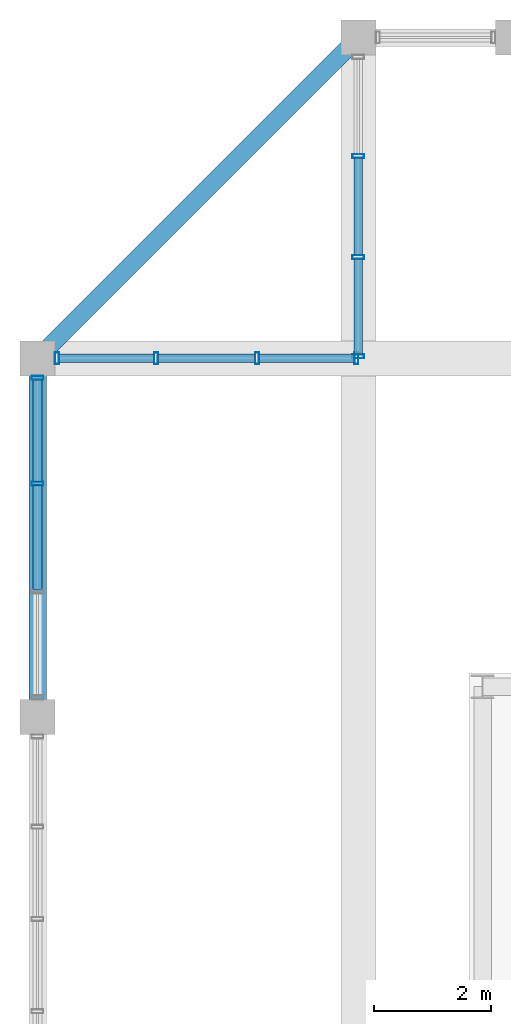
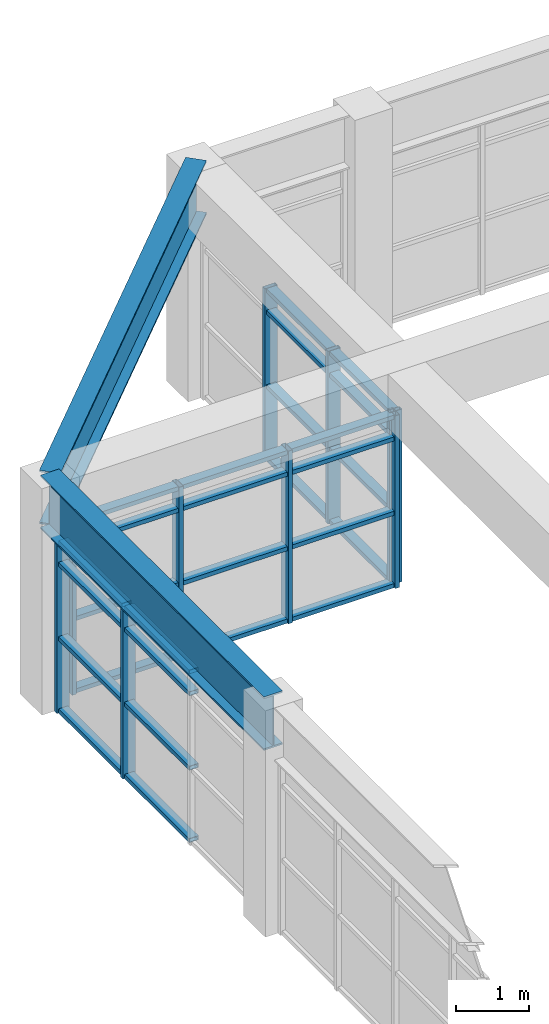
# One storey, part 18 of 28: 37 members, 2 beams, 3 elements without a shape of their own.
"""IFC4 building model written with IfcOpenShell, lengths in metres."""

from ifc_helpers import new_model, si_unit, direction, frame, origin, origin_2d, place, context, subcontext, project, spatial, hollow_rectangle, i_section, extrude, source, transform, mapped, material, layer, layer_set, material_profile, profile_set, type_object, element, aggregate, save


model = new_model("IFC4")

# Units and contexts
model_context = context("Model", 3, precision=1e-05, world=origin(), true_north=direction((0.0, 1.0)))
body_context = subcontext(model_context, "Body", "Model", "MODEL_VIEW")
ifc_project = project(units=[si_unit("LENGTHUNIT", "METRE"), si_unit("AREAUNIT", "SQUARE_METRE"), si_unit("VOLUMEUNIT", "CUBIC_METRE"), si_unit("PLANEANGLEUNIT", "RADIAN"), si_unit("MASSUNIT", "GRAM", prefix="KILO")], contexts=[model_context])

# Site, building, storey
site_placement = place(None, origin())
site = spatial("IfcSite", under=ifc_project, at=site_placement, CompositionType="ELEMENT")
building_placement = place(site_placement, origin())
building = spatial("IfcBuilding", under=site, at=building_placement, Name="Saelheon Loggia Tower", CompositionType="ELEMENT")
storey_placement = place(building_placement, frame((0.0, 0.0, 271.199951171875)))
storey = spatial("IfcBuildingStorey", under=building, at=storey_placement, Name="CR6", CompositionType="ELEMENT", Elevation=271.199951171875)

# Beams
ifc_material_1 = material(Name="Steel SM355", Category="steel")
ifc_material_profile_1 = material_profile(ifc_material_1, i_section(OverallWidth=0.300048828125, OverallDepth=0.89990234375, WebThickness=0.01611328125, FlangeThickness=0.028076171875, at=origin_2d()), Name="H-900x300x16x28")
ifc_profile_set_1 = profile_set([ifc_material_profile_1], Name="Steel SM355")
beam_type = type_object("IfcBeamType", Name="Beam_PoolGirder_Steel_H900", PredefinedType="BEAM", material=ifc_profile_set_1)
shared_shape_1 = source(origin(), body_context, "Body", "SweptSolid", [
    extrude(i_section(OverallWidth=0.300048828125, OverallDepth=0.89990234375, WebThickness=0.01611328125, FlangeThickness=0.028076171875, at=origin_2d()), origin(), (0.0, 0.0, 1.0), 7.778076171875),
])
beam_1_placement = place(storey_placement, frame((28.85009765625, 47.64990234375, 3.35009765625), z_axis=(-0.707106781187, -0.707106781187, 0.0), x_axis=(0.707106781187, -0.707106781187, 0.0)))
element("IfcBeam", 1, at=beam_1_placement, inside=storey, type_object=beam_type, Name="CR6 CROWN FRAME Sill Girder 12", PredefinedType="BEAM", context=body_context, shape_type="MappedRepresentation", body=[
    mapped(shared_shape_1, transform((0.0, 0.0, 0.0), scale=1.0)),
])
shared_shape_2 = source(origin(), body_context, "Body", "SweptSolid", [
    extrude(i_section(OverallWidth=0.300048828125, OverallDepth=0.89990234375, WebThickness=0.01611328125, FlangeThickness=0.028076171875, at=origin_2d()), origin(), (0.0, 0.0, 1.0), 6.14990234375),
])
beam_2_placement = place(storey_placement, frame((23.35009765625, 42.14990234375, 3.35009765625), z_axis=(0.0, -1.0, 0.0), x_axis=(1.0, 0.0, 0.0)))
element("IfcBeam", 2, at=beam_2_placement, inside=storey, type_object=beam_type, Name="CR6 CROWN FRAME Sill Girder 13", PredefinedType="BEAM", context=body_context, shape_type="MappedRepresentation", body=[
    mapped(shared_shape_2, transform((0.0, 0.0, 0.0), scale=1.0)),
])

# Curtain wall, members
ifc_material_2 = material(Name="Bronze-Anodised Aluminium and Fritted Ceramic Screen", Category="aluminium")
ifc_layer = layer(ifc_material_2, 0.219970703125)
ifc_layer_set = layer_set([ifc_layer], Name="Bronze-Anodised Aluminium and Fritted Ceramic Screen")
curtain_wall_type = type_object("IfcCurtainWallType", Name="CW_CrownScreen", PredefinedType="NOTDEFINED", material=ifc_layer_set)
curtain_wall_1_placement = place(storey_placement, origin())
curtain_wall_1 = element("IfcCurtainWall", 3, at=curtain_wall_1_placement, inside=storey, type_object=curtain_wall_type, Name="CR6 Crown Screen Curtain Wall 7-1", PredefinedType="NOTDEFINED")
ifc_material_3 = material(Name="Bronze-Anodised Aluminium 6063-T6", Category="aluminium")
ifc_material_profile_2 = material_profile(ifc_material_3, hollow_rectangle(XDim=0.070068359375, YDim=0.199951171875, WallThickness=0.0048828125, at=origin_2d()), Name="RHS-200x70x5")
ifc_profile_set_2 = profile_set([ifc_material_profile_2], Name="Bronze-Anodised Aluminium 6063-T6")
member_type_1 = type_object("IfcMemberType", Name="CW_CrownScreen_Mullion", PredefinedType="MULLION", material=ifc_profile_set_2)
shared_shape_3 = source(origin(), body_context, "Body", "SweptSolid", [
    extrude(hollow_rectangle(XDim=0.070068359375, YDim=0.199951171875, WallThickness=0.0048828125, at=origin_2d()), origin(), (0.0, 0.0, 1.0), 2.900146484375),
])
member_1_placement = place(storey_placement, frame((28.85009765625, 45.61669921875, 0.0), z_axis=(0.0, 0.0, 1.0), x_axis=(0.0, -1.0, 0.0)))
member_1 = element("IfcMember", 4, at=member_1_placement, type_object=member_type_1, Name="CW6 mullion 2", PredefinedType="MULLION", context=body_context, shape_type="MappedRepresentation", body=[
    mapped(shared_shape_3, transform((0.0, 0.0, 0.0), scale=1.0)),
])
member_2_placement = place(storey_placement, frame((28.85009765625, 43.88330078125, 0.0), z_axis=(0.0, 0.0, 1.0), x_axis=(0.0, -1.0, 0.0)))
member_2 = element("IfcMember", 5, at=member_2_placement, type_object=member_type_1, Name="CW6 mullion 3", PredefinedType="MULLION", context=body_context, shape_type="MappedRepresentation", body=[
    mapped(shared_shape_3, transform((0.0, 0.0, 0.0), scale=1.0)),
])
member_3_placement = place(storey_placement, frame((28.85009765625, 42.18505859375, 0.0), z_axis=(0.0, 0.0, 1.0), x_axis=(0.0, -1.0, 0.0)))
member_3 = element("IfcMember", 6, at=member_3_placement, type_object=member_type_1, Name="CW6 mullion 4", PredefinedType="MULLION", context=body_context, shape_type="MappedRepresentation", body=[
    mapped(shared_shape_3, transform((0.0, 0.0, 0.0), scale=1.0)),
])

curtain_wall_2_placement = place(storey_placement, origin())
curtain_wall_2 = element("IfcCurtainWall", 7, at=curtain_wall_2_placement, inside=storey, type_object=curtain_wall_type, Name="CR6 Crown Screen Curtain Wall 8-1", PredefinedType="NOTDEFINED")
member_4_placement = place(storey_placement, frame((28.81494140625, 42.14990234375, 0.0), z_axis=(0.0, 0.0, 1.0), x_axis=(-1.0, 0.0, 0.0)))
member_4 = element("IfcMember", 8, at=member_4_placement, type_object=member_type_1, Name="CW6 mullion 1", PredefinedType="MULLION", context=body_context, shape_type="MappedRepresentation", body=[
    mapped(shared_shape_3, transform((0.0, 0.0, 0.0), scale=1.0)),
])
member_5_placement = place(storey_placement, frame((27.11669921875, 42.14990234375, 0.0), z_axis=(0.0, 0.0, 1.0), x_axis=(-1.0, 0.0, 0.0)))
member_5 = element("IfcMember", 9, at=member_5_placement, type_object=member_type_1, Name="CW6 mullion 2", PredefinedType="MULLION", context=body_context, shape_type="MappedRepresentation", body=[
    mapped(shared_shape_3, transform((0.0, 0.0, 0.0), scale=1.0)),
])
member_6_placement = place(storey_placement, frame((25.38330078125, 42.14990234375, 0.0), z_axis=(0.0, 0.0, 1.0), x_axis=(-1.0, 0.0, 0.0)))
member_6 = element("IfcMember", 10, at=member_6_placement, type_object=member_type_1, Name="CW6 mullion 3", PredefinedType="MULLION", context=body_context, shape_type="MappedRepresentation", body=[
    mapped(shared_shape_3, transform((0.0, 0.0, 0.0), scale=1.0)),
])
member_7_placement = place(storey_placement, frame((23.68505859375, 42.14990234375, 0.0), z_axis=(0.0, 0.0, 1.0), x_axis=(-1.0, 0.0, 0.0)))
member_7 = element("IfcMember", 11, at=member_7_placement, type_object=member_type_1, Name="CW6 mullion 4", PredefinedType="MULLION", context=body_context, shape_type="MappedRepresentation", body=[
    mapped(shared_shape_3, transform((0.0, 0.0, 0.0), scale=1.0)),
])

curtain_wall_3_placement = place(storey_placement, origin())
curtain_wall_3 = element("IfcCurtainWall", 12, at=curtain_wall_3_placement, inside=storey, type_object=curtain_wall_type, Name="CR6 Crown Screen Curtain Wall 9-1", PredefinedType="NOTDEFINED")
member_8_placement = place(storey_placement, frame((23.35009765625, 41.81494140625, 0.0), z_axis=(0.0, 0.0, 1.0), x_axis=(0.0, -1.0, 0.0)))
member_8 = element("IfcMember", 13, at=member_8_placement, type_object=member_type_1, Name="CW6 mullion 1", PredefinedType="MULLION", context=body_context, shape_type="MappedRepresentation", body=[
    mapped(shared_shape_3, transform((0.0, 0.0, 0.0), scale=1.0)),
])
member_9_placement = place(storey_placement, frame((23.35009765625, 40.0, 0.0), z_axis=(0.0, 0.0, 1.0), x_axis=(0.0, -1.0, 0.0)))
member_9 = element("IfcMember", 14, at=member_9_placement, type_object=member_type_1, Name="CW6 mullion 2", PredefinedType="MULLION", context=body_context, shape_type="MappedRepresentation", body=[
    mapped(shared_shape_3, transform((0.0, 0.0, 0.0), scale=1.0)),
])

# Member
ifc_material_profile_3 = material_profile(ifc_material_3, hollow_rectangle(XDim=0.070068359375, YDim=0.14990234375, WallThickness=0.0048828125, at=origin_2d()), Name="RHS-150x70x5")
ifc_profile_set_3 = profile_set([ifc_material_profile_3], Name="Bronze-Anodised Aluminium 6063-T6")
member_type_2 = type_object("IfcMemberType", Name="CW_CrownScreen_Transom", PredefinedType="USERDEFINED", material=ifc_profile_set_3)
shared_shape_4 = source(origin(), body_context, "Body", "SweptSolid", [
    extrude(hollow_rectangle(XDim=0.070068359375, YDim=0.14990234375, WallThickness=0.0048828125, at=origin_2d()), origin(), (0.0, 0.0, 1.0), 1.62841796875),
])
member_10_placement = place(storey_placement, frame((28.85009765625, 43.848388671875, 0.03515625), z_axis=(0.0, -1.0, 0.0), x_axis=(0.0, 0.0, 1.0)))
member_10 = element("IfcMember", 15, at=member_10_placement, type_object=member_type_2, Name="CW6 transom 3.1", ObjectType="TRANSOM", PredefinedType="USERDEFINED", context=body_context, shape_type="MappedRepresentation", body=[
    mapped(shared_shape_4, transform((0.0, 0.0, 0.0), scale=1.0)),
])

member_11_placement = place(storey_placement, frame((28.85009765625, 43.848388671875, 1.25), z_axis=(0.0, -1.0, 0.0), x_axis=(0.0, 0.0, 1.0)))
member_11 = element("IfcMember", 16, at=member_11_placement, type_object=member_type_2, Name="CW6 transom 3.2", ObjectType="TRANSOM", PredefinedType="USERDEFINED", context=body_context, shape_type="MappedRepresentation", body=[
    mapped(shared_shape_4, transform((0.0, 0.0, 0.0), scale=1.0)),
])

member_12_placement = place(storey_placement, frame((28.85009765625, 43.848388671875, 2.5), z_axis=(0.0, -1.0, 0.0), x_axis=(0.0, 0.0, 1.0)))
member_12 = element("IfcMember", 17, at=member_12_placement, type_object=member_type_2, Name="CW6 transom 3.3", ObjectType="TRANSOM", PredefinedType="USERDEFINED", context=body_context, shape_type="MappedRepresentation", body=[
    mapped(shared_shape_4, transform((0.0, 0.0, 0.0), scale=1.0)),
])

member_13_placement = place(storey_placement, frame((28.85009765625, 43.848388671875, 2.864990234375), z_axis=(0.0, -1.0, 0.0), x_axis=(0.0, 0.0, 1.0)))
member_13 = element("IfcMember", 18, at=member_13_placement, type_object=member_type_2, Name="CW6 transom 3.4", ObjectType="TRANSOM", PredefinedType="USERDEFINED", context=body_context, shape_type="MappedRepresentation", body=[
    mapped(shared_shape_4, transform((0.0, 0.0, 0.0), scale=1.0)),
])

member_14_placement = place(storey_placement, frame((28.780029296875, 42.14990234375, 0.03515625), z_axis=(-1.0, 0.0, 0.0), x_axis=(0.0, 0.0, 1.0)))
member_14 = element("IfcMember", 19, at=member_14_placement, type_object=member_type_2, Name="CW6 transom 1.1", ObjectType="TRANSOM", PredefinedType="USERDEFINED", context=body_context, shape_type="MappedRepresentation", body=[
    mapped(shared_shape_4, transform((0.0, 0.0, 0.0), scale=1.0)),
])

member_15_placement = place(storey_placement, frame((28.780029296875, 42.14990234375, 1.25), z_axis=(-1.0, 0.0, 0.0), x_axis=(0.0, 0.0, 1.0)))
member_15 = element("IfcMember", 20, at=member_15_placement, type_object=member_type_2, Name="CW6 transom 1.2", ObjectType="TRANSOM", PredefinedType="USERDEFINED", context=body_context, shape_type="MappedRepresentation", body=[
    mapped(shared_shape_4, transform((0.0, 0.0, 0.0), scale=1.0)),
])

member_16_placement = place(storey_placement, frame((28.780029296875, 42.14990234375, 2.5), z_axis=(-1.0, 0.0, 0.0), x_axis=(0.0, 0.0, 1.0)))
member_16 = element("IfcMember", 21, at=member_16_placement, type_object=member_type_2, Name="CW6 transom 1.3", ObjectType="TRANSOM", PredefinedType="USERDEFINED", context=body_context, shape_type="MappedRepresentation", body=[
    mapped(shared_shape_4, transform((0.0, 0.0, 0.0), scale=1.0)),
])

member_17_placement = place(storey_placement, frame((28.780029296875, 42.14990234375, 2.864990234375), z_axis=(-1.0, 0.0, 0.0), x_axis=(0.0, 0.0, 1.0)))
member_17 = element("IfcMember", 22, at=member_17_placement, type_object=member_type_2, Name="CW6 transom 1.4", ObjectType="TRANSOM", PredefinedType="USERDEFINED", context=body_context, shape_type="MappedRepresentation", body=[
    mapped(shared_shape_4, transform((0.0, 0.0, 0.0), scale=1.0)),
])

member_18_placement = place(storey_placement, frame((25.348388671875, 42.14990234375, 0.03515625), z_axis=(-1.0, 0.0, 0.0), x_axis=(0.0, 0.0, 1.0)))
member_18 = element("IfcMember", 23, at=member_18_placement, type_object=member_type_2, Name="CW6 transom 3.1", ObjectType="TRANSOM", PredefinedType="USERDEFINED", context=body_context, shape_type="MappedRepresentation", body=[
    mapped(shared_shape_4, transform((0.0, 0.0, 0.0), scale=1.0)),
])

member_19_placement = place(storey_placement, frame((25.348388671875, 42.14990234375, 1.25), z_axis=(-1.0, 0.0, 0.0), x_axis=(0.0, 0.0, 1.0)))
member_19 = element("IfcMember", 24, at=member_19_placement, type_object=member_type_2, Name="CW6 transom 3.2", ObjectType="TRANSOM", PredefinedType="USERDEFINED", context=body_context, shape_type="MappedRepresentation", body=[
    mapped(shared_shape_4, transform((0.0, 0.0, 0.0), scale=1.0)),
])

member_20_placement = place(storey_placement, frame((25.348388671875, 42.14990234375, 2.5), z_axis=(-1.0, 0.0, 0.0), x_axis=(0.0, 0.0, 1.0)))
member_20 = element("IfcMember", 25, at=member_20_placement, type_object=member_type_2, Name="CW6 transom 3.3", ObjectType="TRANSOM", PredefinedType="USERDEFINED", context=body_context, shape_type="MappedRepresentation", body=[
    mapped(shared_shape_4, transform((0.0, 0.0, 0.0), scale=1.0)),
])

member_21_placement = place(storey_placement, frame((25.348388671875, 42.14990234375, 2.864990234375), z_axis=(-1.0, 0.0, 0.0), x_axis=(0.0, 0.0, 1.0)))
member_21 = element("IfcMember", 26, at=member_21_placement, type_object=member_type_2, Name="CW6 transom 3.4", ObjectType="TRANSOM", PredefinedType="USERDEFINED", context=body_context, shape_type="MappedRepresentation", body=[
    mapped(shared_shape_4, transform((0.0, 0.0, 0.0), scale=1.0)),
])

shared_shape_5 = source(origin(), body_context, "Body", "SweptSolid", [
    extrude(hollow_rectangle(XDim=0.070068359375, YDim=0.14990234375, WallThickness=0.0048828125, at=origin_2d()), origin(), (0.0, 0.0, 1.0), 1.66357421875),
])
member_22_placement = place(storey_placement, frame((28.85009765625, 45.581787109375, 0.03515625), z_axis=(0.0, -1.0, 0.0), x_axis=(0.0, 0.0, 1.0)))
member_22 = element("IfcMember", 27, at=member_22_placement, type_object=member_type_2, Name="CW6 transom 2.1", ObjectType="TRANSOM", PredefinedType="USERDEFINED", context=body_context, shape_type="MappedRepresentation", body=[
    mapped(shared_shape_5, transform((0.0, 0.0, 0.0), scale=1.0)),
])

member_23_placement = place(storey_placement, frame((28.85009765625, 45.581787109375, 1.25), z_axis=(0.0, -1.0, 0.0), x_axis=(0.0, 0.0, 1.0)))
member_23 = element("IfcMember", 28, at=member_23_placement, type_object=member_type_2, Name="CW6 transom 2.2", ObjectType="TRANSOM", PredefinedType="USERDEFINED", context=body_context, shape_type="MappedRepresentation", body=[
    mapped(shared_shape_5, transform((0.0, 0.0, 0.0), scale=1.0)),
])

member_24_placement = place(storey_placement, frame((28.85009765625, 45.581787109375, 2.5), z_axis=(0.0, -1.0, 0.0), x_axis=(0.0, 0.0, 1.0)))
member_24 = element("IfcMember", 29, at=member_24_placement, type_object=member_type_2, Name="CW6 transom 2.3", ObjectType="TRANSOM", PredefinedType="USERDEFINED", context=body_context, shape_type="MappedRepresentation", body=[
    mapped(shared_shape_5, transform((0.0, 0.0, 0.0), scale=1.0)),
])

member_25_placement = place(storey_placement, frame((28.85009765625, 45.581787109375, 2.864990234375), z_axis=(0.0, -1.0, 0.0), x_axis=(0.0, 0.0, 1.0)))
member_25 = element("IfcMember", 30, at=member_25_placement, type_object=member_type_2, Name="CW6 transom 2.4", ObjectType="TRANSOM", PredefinedType="USERDEFINED", context=body_context, shape_type="MappedRepresentation", body=[
    mapped(shared_shape_5, transform((0.0, 0.0, 0.0), scale=1.0)),
])

aggregate(curtain_wall_1, [member_1, member_2, member_3, member_22, member_23, member_24, member_25, member_10, member_11, member_12, member_13])

member_26_placement = place(storey_placement, frame((27.081787109375, 42.14990234375, 0.03515625), z_axis=(-1.0, 0.0, 0.0), x_axis=(0.0, 0.0, 1.0)))
member_26 = element("IfcMember", 31, at=member_26_placement, type_object=member_type_2, Name="CW6 transom 2.1", ObjectType="TRANSOM", PredefinedType="USERDEFINED", context=body_context, shape_type="MappedRepresentation", body=[
    mapped(shared_shape_5, transform((0.0, 0.0, 0.0), scale=1.0)),
])

member_27_placement = place(storey_placement, frame((27.081787109375, 42.14990234375, 1.25), z_axis=(-1.0, 0.0, 0.0), x_axis=(0.0, 0.0, 1.0)))
member_27 = element("IfcMember", 32, at=member_27_placement, type_object=member_type_2, Name="CW6 transom 2.2", ObjectType="TRANSOM", PredefinedType="USERDEFINED", context=body_context, shape_type="MappedRepresentation", body=[
    mapped(shared_shape_5, transform((0.0, 0.0, 0.0), scale=1.0)),
])

member_28_placement = place(storey_placement, frame((27.081787109375, 42.14990234375, 2.5), z_axis=(-1.0, 0.0, 0.0), x_axis=(0.0, 0.0, 1.0)))
member_28 = element("IfcMember", 33, at=member_28_placement, type_object=member_type_2, Name="CW6 transom 2.3", ObjectType="TRANSOM", PredefinedType="USERDEFINED", context=body_context, shape_type="MappedRepresentation", body=[
    mapped(shared_shape_5, transform((0.0, 0.0, 0.0), scale=1.0)),
])

member_29_placement = place(storey_placement, frame((27.081787109375, 42.14990234375, 2.864990234375), z_axis=(-1.0, 0.0, 0.0), x_axis=(0.0, 0.0, 1.0)))
member_29 = element("IfcMember", 34, at=member_29_placement, type_object=member_type_2, Name="CW6 transom 2.4", ObjectType="TRANSOM", PredefinedType="USERDEFINED", context=body_context, shape_type="MappedRepresentation", body=[
    mapped(shared_shape_5, transform((0.0, 0.0, 0.0), scale=1.0)),
])

aggregate(curtain_wall_2, [member_4, member_5, member_6, member_7, member_14, member_15, member_16, member_17, member_26, member_27, member_28, member_29, member_18, member_19, member_20, member_21])

shared_shape_6 = source(origin(), body_context, "Body", "SweptSolid", [
    extrude(hollow_rectangle(XDim=0.070068359375, YDim=0.14990234375, WallThickness=0.0048828125, at=origin_2d()), origin(), (0.0, 0.0, 1.0), 1.7451171875),
])
member_30_placement = place(storey_placement, frame((23.35009765625, 41.780029296875, 0.03515625), z_axis=(0.0, -1.0, 0.0), x_axis=(0.0, 0.0, 1.0)))
member_30 = element("IfcMember", 35, at=member_30_placement, type_object=member_type_2, Name="CW6 transom 1.1", ObjectType="TRANSOM", PredefinedType="USERDEFINED", context=body_context, shape_type="MappedRepresentation", body=[
    mapped(shared_shape_6, transform((0.0, 0.0, 0.0), scale=1.0)),
])

member_31_placement = place(storey_placement, frame((23.35009765625, 41.780029296875, 1.25), z_axis=(0.0, -1.0, 0.0), x_axis=(0.0, 0.0, 1.0)))
member_31 = element("IfcMember", 36, at=member_31_placement, type_object=member_type_2, Name="CW6 transom 1.2", ObjectType="TRANSOM", PredefinedType="USERDEFINED", context=body_context, shape_type="MappedRepresentation", body=[
    mapped(shared_shape_6, transform((0.0, 0.0, 0.0), scale=1.0)),
])

member_32_placement = place(storey_placement, frame((23.35009765625, 41.780029296875, 2.5), z_axis=(0.0, -1.0, 0.0), x_axis=(0.0, 0.0, 1.0)))
member_32 = element("IfcMember", 37, at=member_32_placement, type_object=member_type_2, Name="CW6 transom 1.3", ObjectType="TRANSOM", PredefinedType="USERDEFINED", context=body_context, shape_type="MappedRepresentation", body=[
    mapped(shared_shape_6, transform((0.0, 0.0, 0.0), scale=1.0)),
])

member_33_placement = place(storey_placement, frame((23.35009765625, 41.780029296875, 2.864990234375), z_axis=(0.0, -1.0, 0.0), x_axis=(0.0, 0.0, 1.0)))
member_33 = element("IfcMember", 38, at=member_33_placement, type_object=member_type_2, Name="CW6 transom 1.4", ObjectType="TRANSOM", PredefinedType="USERDEFINED", context=body_context, shape_type="MappedRepresentation", body=[
    mapped(shared_shape_6, transform((0.0, 0.0, 0.0), scale=1.0)),
])

shared_shape_7 = source(origin(), body_context, "Body", "SweptSolid", [
    extrude(hollow_rectangle(XDim=0.070068359375, YDim=0.14990234375, WallThickness=0.0048828125, at=origin_2d()), origin(), (0.0, 0.0, 1.0), 1.780029296875),
])
member_34_placement = place(storey_placement, frame((23.35009765625, 39.965087890625, 0.03515625), z_axis=(0.0, -1.0, 0.0), x_axis=(0.0, 0.0, 1.0)))
member_34 = element("IfcMember", 39, at=member_34_placement, type_object=member_type_2, Name="CW6 transom 2.1", ObjectType="TRANSOM", PredefinedType="USERDEFINED", context=body_context, shape_type="MappedRepresentation", body=[
    mapped(shared_shape_7, transform((0.0, 0.0, 0.0), scale=1.0)),
])

member_35_placement = place(storey_placement, frame((23.35009765625, 39.965087890625, 1.25), z_axis=(0.0, -1.0, 0.0), x_axis=(0.0, 0.0, 1.0)))
member_35 = element("IfcMember", 40, at=member_35_placement, type_object=member_type_2, Name="CW6 transom 2.2", ObjectType="TRANSOM", PredefinedType="USERDEFINED", context=body_context, shape_type="MappedRepresentation", body=[
    mapped(shared_shape_7, transform((0.0, 0.0, 0.0), scale=1.0)),
])

member_36_placement = place(storey_placement, frame((23.35009765625, 39.965087890625, 2.5), z_axis=(0.0, -1.0, 0.0), x_axis=(0.0, 0.0, 1.0)))
member_36 = element("IfcMember", 41, at=member_36_placement, type_object=member_type_2, Name="CW6 transom 2.3", ObjectType="TRANSOM", PredefinedType="USERDEFINED", context=body_context, shape_type="MappedRepresentation", body=[
    mapped(shared_shape_7, transform((0.0, 0.0, 0.0), scale=1.0)),
])

member_37_placement = place(storey_placement, frame((23.35009765625, 39.965087890625, 2.864990234375), z_axis=(0.0, -1.0, 0.0), x_axis=(0.0, 0.0, 1.0)))
member_37 = element("IfcMember", 42, at=member_37_placement, type_object=member_type_2, Name="CW6 transom 2.4", ObjectType="TRANSOM", PredefinedType="USERDEFINED", context=body_context, shape_type="MappedRepresentation", body=[
    mapped(shared_shape_7, transform((0.0, 0.0, 0.0), scale=1.0)),
])

aggregate(curtain_wall_3, [member_8, member_9, member_30, member_31, member_32, member_33, member_34, member_35, member_36, member_37])

save(model, "model.ifc")
